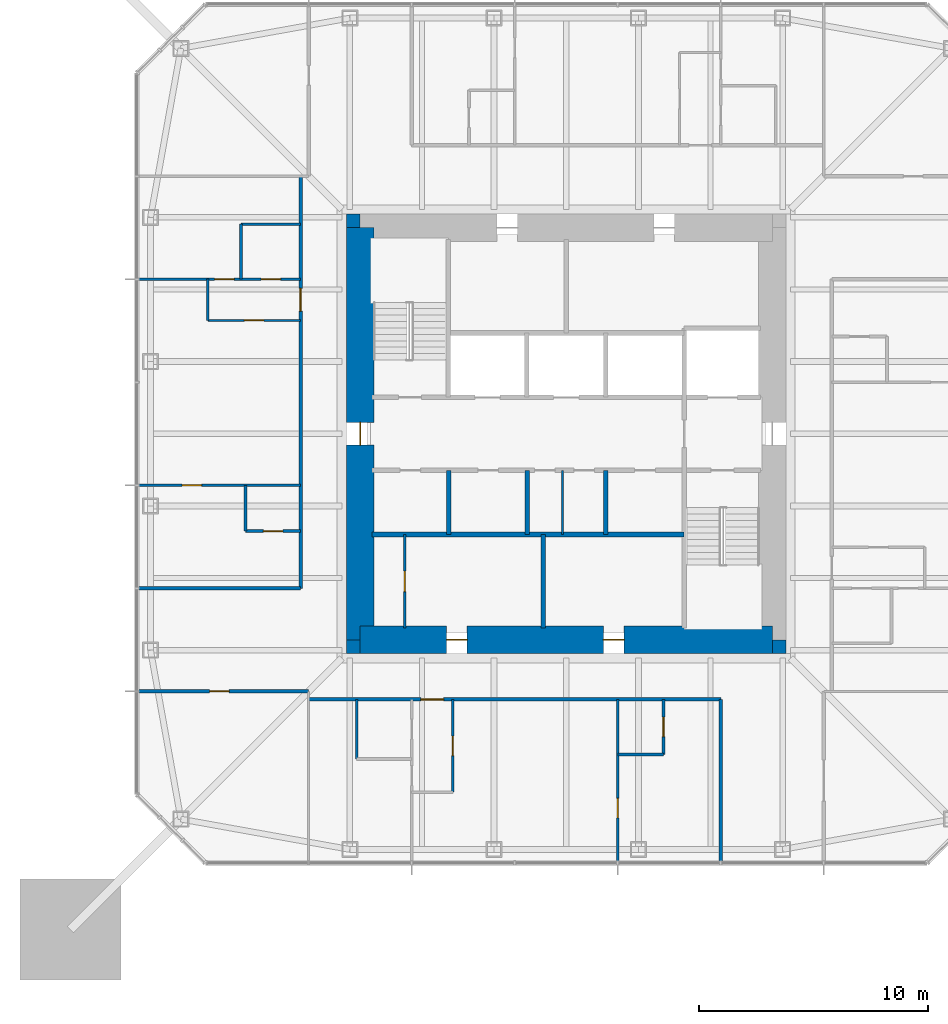
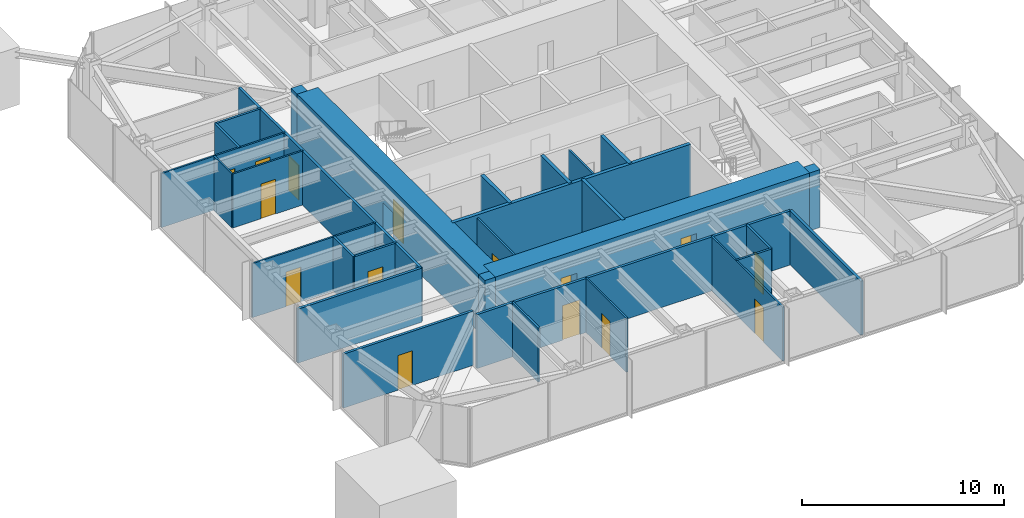
# One storey, part 6 of 11: 30 walls, 15 doors, 15 openings.
"""IFC4 building model written with IfcOpenShell, lengths in metres."""

from ifc_helpers import new_model, si_unit, direction, frame, frame_2d, origin, place, context, subcontext, project, spatial, rectangle, extrude, material, layer, layer_set, type_object, element, fill, save


model = new_model("IFC4")

# Units and contexts
model_context = context("Model", 3, precision=1e-05, world=origin(), true_north=direction((0.0, 1.0)))
body_context = subcontext(model_context, "Body", "Model", "MODEL_VIEW")
ifc_project = project(units=[si_unit("LENGTHUNIT", "METRE"), si_unit("AREAUNIT", "SQUARE_METRE"), si_unit("VOLUMEUNIT", "CUBIC_METRE"), si_unit("PLANEANGLEUNIT", "RADIAN"), si_unit("MASSUNIT", "GRAM", prefix="KILO")], contexts=[model_context])

# Site, building, storey
site_placement = place(None, origin())
site = spatial("IfcSite", under=ifc_project, at=site_placement, CompositionType="ELEMENT")
building_placement = place(site_placement, origin())
building = spatial("IfcBuilding", under=site, at=building_placement, Name="Iwan Alto Co-Living Towers", CompositionType="ELEMENT")
storey_placement = place(building_placement, frame((0.0, 0.0, 174.0)))
storey = spatial("IfcBuildingStorey", under=building, at=storey_placement, Name="L47", CompositionType="ELEMENT", Elevation=174.0)

# Wall, opening, door
ifc_material_1 = material(Name="Gypsum board")
ifc_layer_1 = layer(ifc_material_1, 0.02490234375, Name="Board", Category="Finish")
ifc_material_2 = material(Name="Steel ASTM A1003 ST33H cold-formed studs", Category="steel")
ifc_layer_2 = layer(ifc_material_2, 0.10009765625, Name="Studs", Category="Framing")
ifc_layer_3 = layer(ifc_material_1, 0.02490234375, Name="Board", Category="Finish")
ifc_layer_set_1 = layer_set([ifc_layer_1, ifc_layer_2, ifc_layer_3], Name="CORRIDOR WALL 150")
wall_type_1 = type_object("IfcWallType", Name="CORRIDOR WALL 150", PredefinedType="PARTITIONING", material=ifc_layer_set_1)
wall_1_placement = place(storey_placement, frame((-11.25, -11.60009765625, 0.0), z_axis=(0.0, 0.0, 1.0), x_axis=(1.0, 0.0, 0.0)))
wall_1 = element("IfcWall", 1, at=wall_1_placement, inside=storey, type_object=wall_type_1, Name="Partition L47", PredefinedType="PARTITIONING", context=body_context, shape_type="SweptSolid", body=[
    extrude(rectangle(XDim=18.0, YDim=0.14990234375, at=frame_2d((9.0, 0.0))), origin(), (0.0, 0.0, 1.0), 3.27001953125),
])
opening_1_placement = place(wall_1_placement, frame((4.89990234375, 0.0, 0.0)))
opening_1 = element("IfcOpeningElement", 2, at=opening_1_placement, cuts=wall_1, Name="Opening D3", PredefinedType="OPENING", context=body_context, shape_type="SweptSolid", body=[
    extrude(rectangle(XDim=1.0, YDim=2.10009765625, at=frame_2d((0.5, 1.050048828125))), frame((0.0, 0.0849609375, 0.0), z_axis=(0.0, -1.0, 0.0), x_axis=(1.0, 0.0, 0.0)), (0.0, 0.0, 1.0), 0.169921875),
])
ifc_material_3 = material(Name="Steel frame with timber leaf", Category="steel")
door_type_1 = type_object("IfcDoorType", Name="FLAT ENTRANCE DOOR FD30S 1000X2100", OperationType="SINGLE_SWING_LEFT", PredefinedType="DOOR", material=ifc_material_3)
door_1_placement = place(opening_1_placement, frame((1.0, 0.0, 0.0), z_axis=(0.0, 0.0, 1.0), x_axis=(-1.0, 0.0, 0.0)))
door_1 = element("IfcDoor", 3, at=door_1_placement, inside=storey, type_object=door_type_1, Name="Apartment foyer door L47", OperationType="SINGLE_SWING_RIGHT", OverallHeight=2.10009765625, OverallWidth=1.0, PredefinedType="DOOR", context=body_context, shape_type="SweptSolid", body=[
    extrude(rectangle(XDim=1.0, YDim=2.10009765625, at=frame_2d((0.5, 1.050048828125))), frame((0.0, 0.02490234375, 0.0), z_axis=(0.0, -1.0, 0.0), x_axis=(1.0, 0.0, 0.0)), (0.0, 0.0, 1.0), 0.050048828125),
])
fill(opening_1, door_1)

wall_2_placement = place(storey_placement, frame((-18.68994140625, -11.25, 0.0), z_axis=(0.0, 0.0, 1.0), x_axis=(1.0, 0.0, 0.0)))
wall_2 = element("IfcWall", 4, at=wall_2_placement, inside=storey, type_object=wall_type_1, Name="Partition L47", PredefinedType="PARTITIONING", context=body_context, shape_type="SweptSolid", body=[
    extrude(rectangle(XDim=7.43994140625, YDim=0.14990234375, at=frame_2d((3.719970703125, 0.0))), origin(), (0.0, 0.0, 1.0), 3.27001953125),
])
opening_2_placement = place(wall_2_placement, frame((3.1201171875, 0.0, 0.0)))
opening_2 = element("IfcOpeningElement", 5, at=opening_2_placement, cuts=wall_2, Name="Opening D2", PredefinedType="OPENING", context=body_context, shape_type="SweptSolid", body=[
    extrude(rectangle(XDim=0.85009765625, YDim=2.10009765625, at=frame_2d((0.425048828125, 1.050048828125))), frame((0.0, 0.0849609375, 0.0), z_axis=(0.0, -1.0, 0.0), x_axis=(1.0, 0.0, 0.0)), (0.0, 0.0, 1.0), 0.169921875),
])
ifc_material_4 = material(Name="Timber leaf in steel frame", Category="steel")
door_type_2 = type_object("IfcDoorType", Name="ROOM DOOR 850X2100", OperationType="SINGLE_SWING_LEFT", PredefinedType="DOOR", material=ifc_material_4)
door_2_placement = place(opening_2_placement, frame((0.85009765625, 0.0, 0.0), z_axis=(0.0, 0.0, 1.0), x_axis=(-1.0, 0.0, 0.0)))
door_2 = element("IfcDoor", 6, at=door_2_placement, inside=storey, type_object=door_type_2, Name="Shared kitchen and lounge door L47", OperationType="SINGLE_SWING_RIGHT", OverallHeight=2.10009765625, OverallWidth=0.85009765625, PredefinedType="DOOR", context=body_context, shape_type="SweptSolid", body=[
    extrude(rectangle(XDim=0.85009765625, YDim=2.10009765625, at=frame_2d((0.425048828125, 1.050048828125))), frame((0.0, 0.02490234375, 0.0), z_axis=(0.0, -1.0, 0.0), x_axis=(1.0, 0.0, 0.0)), (0.0, 0.0, 1.0), 0.050048828125),
])
fill(opening_2, door_2)

# Walls
for number, where, z_axis, x_axis, name in (
    (7, (-18.68994140625, -6.75, 0.0), (0.0, 0.0, 1.0), (1.0, 0.0, 0.0), "Partition L47"),
    (8, (6.75, -18.68994140625, 0.0), (0.0, 0.0, 1.0), (0.0, 1.0, 0.0), "Partition L47"),
):
    element("IfcWall", number, at=place(storey_placement, frame(where, z_axis=z_axis, x_axis=x_axis)), inside=storey, type_object=wall_type_1, Name=name, PredefinedType="PARTITIONING", context=body_context, shape_type="SweptSolid", body=[
        extrude(rectangle(XDim=7.08984375, YDim=0.14990234375, at=frame_2d((3.544921875, 0.0))), origin(), (0.0, 0.0, 1.0), 3.27001953125),
    ])

# Wall, opening, door
wall_3_placement = place(storey_placement, frame((-11.60009765625, -6.75, 0.0), z_axis=(0.0, 0.0, 1.0), x_axis=(0.0, 1.0, 0.0)))
wall_3 = element("IfcWall", 9, at=wall_3_placement, inside=storey, type_object=wall_type_1, Name="Partition L47", PredefinedType="PARTITIONING", context=body_context, shape_type="SweptSolid", body=[
    extrude(rectangle(XDim=18.0, YDim=0.14990234375, at=frame_2d((9.0, 0.0))), origin(), (0.0, 0.0, 1.0), 3.27001953125),
])
opening_3_placement = place(wall_3_placement, frame((12.10009765625, 0.0, 0.0)))
opening_3 = element("IfcOpeningElement", 10, at=opening_3_placement, cuts=wall_3, Name="Opening D3", PredefinedType="OPENING", context=body_context, shape_type="SweptSolid", body=[
    extrude(rectangle(XDim=1.0, YDim=2.10009765625, at=frame_2d((0.5, 1.050048828125))), frame((0.0, 0.0849609375, 0.0), z_axis=(0.0, -1.0, 0.0), x_axis=(1.0, 0.0, 0.0)), (0.0, 0.0, 1.0), 0.169921875),
])
door_3_placement = place(opening_3_placement, origin())
door_3 = element("IfcDoor", 11, at=door_3_placement, inside=storey, type_object=door_type_1, Name="Apartment foyer door L47", OperationType="SINGLE_SWING_LEFT", OverallHeight=2.10009765625, OverallWidth=1.0, PredefinedType="DOOR", context=body_context, shape_type="SweptSolid", body=[
    extrude(rectangle(XDim=1.0, YDim=2.10009765625, at=frame_2d((0.5, 1.050048828125))), frame((0.0, 0.02490234375, 0.0), z_axis=(0.0, -1.0, 0.0), x_axis=(1.0, 0.0, 0.0)), (0.0, 0.0, 1.0), 0.050048828125),
])
fill(opening_3, door_3)

ifc_layer_4 = layer(ifc_material_1, 0.012451171875, Name="Board", Category="Finish")
ifc_layer_5 = layer(ifc_material_2, 0.074951171875, Name="Studs", Category="Framing")
ifc_layer_6 = layer(ifc_material_1, 0.012451171875, Name="Board", Category="Finish")
ifc_layer_set_2 = layer_set([ifc_layer_4, ifc_layer_5, ifc_layer_6], Name="PARTITION 100")
wall_type_2 = type_object("IfcWallType", Name="PARTITION 100", PredefinedType="PARTITIONING", material=ifc_layer_set_2)
wall_4_placement = place(storey_placement, frame((-18.68994140625, -2.25, 0.0), z_axis=(0.0, 0.0, 1.0), x_axis=(1.0, 0.0, 0.0)))
wall_4 = element("IfcWall", 12, at=wall_4_placement, inside=storey, type_object=wall_type_2, Name="Partition L47", PredefinedType="PARTITIONING", context=body_context, shape_type="SweptSolid", body=[
    extrude(rectangle(XDim=7.08984375, YDim=0.10009765625, at=frame_2d((3.544921875, 0.0))), origin(), (0.0, 0.0, 1.0), 3.27001953125),
])
opening_4_placement = place(wall_4_placement, frame((1.919921875, 0.0, 0.0)))
opening_4 = element("IfcOpeningElement", 13, at=opening_4_placement, cuts=wall_4, Name="Opening D2", PredefinedType="OPENING", context=body_context, shape_type="SweptSolid", body=[
    extrude(rectangle(XDim=0.85009765625, YDim=2.10009765625, at=frame_2d((0.425048828125, 1.050048828125))), frame((0.0, 0.06005859375, 0.0), z_axis=(0.0, -1.0, 0.0), x_axis=(1.0, 0.0, 0.0)), (0.0, 0.0, 1.0), 0.1201171875),
])
door_4_placement = place(opening_4_placement, origin())
door_4 = element("IfcDoor", 14, at=door_4_placement, inside=storey, type_object=door_type_2, Name="Bedroom door L47", OperationType="SINGLE_SWING_LEFT", OverallHeight=2.10009765625, OverallWidth=0.85009765625, PredefinedType="DOOR", context=body_context, shape_type="SweptSolid", body=[
    extrude(rectangle(XDim=0.85009765625, YDim=2.10009765625, at=frame_2d((0.425048828125, 1.050048828125))), frame((0.0, 0.02490234375, 0.0), z_axis=(0.0, -1.0, 0.0), x_axis=(1.0, 0.0, 0.0)), (0.0, 0.0, 1.0), 0.050048828125),
])
fill(opening_4, door_4)

wall_5_placement = place(storey_placement, frame((-15.64990234375, 4.949951171875, 0.0), z_axis=(0.0, 0.0, 1.0), x_axis=(1.0, 0.0, 0.0)))
wall_5 = element("IfcWall", 15, at=wall_5_placement, inside=storey, type_object=wall_type_2, Name="Partition L47", PredefinedType="PARTITIONING", context=body_context, shape_type="SweptSolid", body=[
    extrude(rectangle(XDim=4.0498046875, YDim=0.10009765625, at=frame_2d((2.02490234375, 0.0))), origin(), (0.0, 0.0, 1.0), 3.27001953125),
])
opening_5_placement = place(wall_5_placement, frame((1.60009765625, 0.0, 0.0)))
opening_5 = element("IfcOpeningElement", 16, at=opening_5_placement, cuts=wall_5, Name="Opening D2", PredefinedType="OPENING", context=body_context, shape_type="SweptSolid", body=[
    extrude(rectangle(XDim=0.85009765625, YDim=2.10009765625, at=frame_2d((0.425048828125, 1.050048828125))), frame((0.0, 0.06005859375, 0.0), z_axis=(0.0, -1.0, 0.0), x_axis=(1.0, 0.0, 0.0)), (0.0, 0.0, 1.0), 0.1201171875),
])
door_5_placement = place(opening_5_placement, frame((0.85009765625, 0.0, 0.0), z_axis=(0.0, 0.0, 1.0), x_axis=(-1.0, 0.0, 0.0)))
door_5 = element("IfcDoor", 17, at=door_5_placement, inside=storey, type_object=door_type_2, Name="Apartment foyer door L47", OperationType="SINGLE_SWING_LEFT", OverallHeight=2.10009765625, OverallWidth=0.85009765625, PredefinedType="DOOR", context=body_context, shape_type="SweptSolid", body=[
    extrude(rectangle(XDim=0.85009765625, YDim=2.10009765625, at=frame_2d((0.425048828125, 1.050048828125))), frame((0.0, 0.02490234375, 0.0), z_axis=(0.0, -1.0, 0.0), x_axis=(1.0, 0.0, 0.0)), (0.0, 0.0, 1.0), 0.050048828125),
])
fill(opening_5, door_5)

# Wall, openings, doors
wall_6_placement = place(storey_placement, frame((-18.68994140625, 6.75, 0.0), z_axis=(0.0, 0.0, 1.0), x_axis=(1.0, 0.0, 0.0)))
wall_6 = element("IfcWall", 18, at=wall_6_placement, inside=storey, type_object=wall_type_2, Name="Partition L47", PredefinedType="PARTITIONING", context=body_context, shape_type="SweptSolid", body=[
    extrude(rectangle(XDim=7.08984375, YDim=0.10009765625, at=frame_2d((3.544921875, 0.0))), origin(), (0.0, 0.0, 1.0), 3.27001953125),
])
opening_6_placement = place(wall_6_placement, frame((3.340087890625, 0.0, 0.0)))
opening_6 = element("IfcOpeningElement", 19, at=opening_6_placement, cuts=wall_6, Name="Opening D2", PredefinedType="OPENING", context=body_context, shape_type="SweptSolid", body=[
    extrude(rectangle(XDim=0.85009765625, YDim=2.10009765625, at=frame_2d((0.425048828125, 1.050048828125))), frame((0.0, 0.06005859375, 0.0), z_axis=(0.0, -1.0, 0.0), x_axis=(1.0, 0.0, 0.0)), (0.0, 0.0, 1.0), 0.1201171875),
])
opening_7_placement = place(wall_6_placement, frame((5.364990234375, 0.0, 0.0)))
opening_7 = element("IfcOpeningElement", 20, at=opening_7_placement, cuts=wall_6, Name="Opening D2", PredefinedType="OPENING", context=body_context, shape_type="SweptSolid", body=[
    extrude(rectangle(XDim=0.85009765625, YDim=2.10009765625, at=frame_2d((0.425048828125, 1.050048828125))), frame((0.0, 0.06005859375, 0.0), z_axis=(0.0, -1.0, 0.0), x_axis=(1.0, 0.0, 0.0)), (0.0, 0.0, 1.0), 0.1201171875),
])
door_6_placement = place(opening_6_placement, origin())
door_6 = element("IfcDoor", 21, at=door_6_placement, inside=storey, type_object=door_type_2, Name="Bedroom door L47", OperationType="SINGLE_SWING_RIGHT", OverallHeight=2.10009765625, OverallWidth=0.85009765625, PredefinedType="DOOR", context=body_context, shape_type="SweptSolid", body=[
    extrude(rectangle(XDim=0.85009765625, YDim=2.10009765625, at=frame_2d((0.425048828125, 1.050048828125))), frame((0.0, 0.02490234375, 0.0), z_axis=(0.0, -1.0, 0.0), x_axis=(1.0, 0.0, 0.0)), (0.0, 0.0, 1.0), 0.050048828125),
])
fill(opening_6, door_6)
door_7_placement = place(opening_7_placement, origin())
door_7 = element("IfcDoor", 22, at=door_7_placement, inside=storey, type_object=door_type_2, Name="Bathroom door L47", OperationType="SINGLE_SWING_LEFT", OverallHeight=2.10009765625, OverallWidth=0.85009765625, PredefinedType="DOOR", context=body_context, shape_type="SweptSolid", body=[
    extrude(rectangle(XDim=0.85009765625, YDim=2.10009765625, at=frame_2d((0.425048828125, 1.050048828125))), frame((0.0, 0.02490234375, 0.0), z_axis=(0.0, -1.0, 0.0), x_axis=(1.0, 0.0, 0.0)), (0.0, 0.0, 1.0), 0.050048828125),
])
fill(opening_7, door_7)

# Wall, opening, door
wall_7_placement = place(storey_placement, frame((2.25, -18.68994140625, 0.0), z_axis=(0.0, 0.0, 1.0), x_axis=(0.0, 1.0, 0.0)))
wall_7 = element("IfcWall", 23, at=wall_7_placement, inside=storey, type_object=wall_type_2, Name="Partition L47", PredefinedType="PARTITIONING", context=body_context, shape_type="SweptSolid", body=[
    extrude(rectangle(XDim=7.08984375, YDim=0.10009765625, at=frame_2d((3.544921875, 0.0))), origin(), (0.0, 0.0, 1.0), 3.27001953125),
])
opening_8_placement = place(wall_7_placement, frame((1.919921875, 0.0, 0.0)))
opening_8 = element("IfcOpeningElement", 24, at=opening_8_placement, cuts=wall_7, Name="Opening D2", PredefinedType="OPENING", context=body_context, shape_type="SweptSolid", body=[
    extrude(rectangle(XDim=0.85009765625, YDim=2.10009765625, at=frame_2d((0.425048828125, 1.050048828125))), frame((0.0, 0.06005859375, 0.0), z_axis=(0.0, -1.0, 0.0), x_axis=(1.0, 0.0, 0.0)), (0.0, 0.0, 1.0), 0.1201171875),
])
door_8_placement = place(opening_8_placement, origin())
door_8 = element("IfcDoor", 25, at=door_8_placement, inside=storey, type_object=door_type_2, Name="Bedroom door L47", OperationType="SINGLE_SWING_LEFT", OverallHeight=2.10009765625, OverallWidth=0.85009765625, PredefinedType="DOOR", context=body_context, shape_type="SweptSolid", body=[
    extrude(rectangle(XDim=0.85009765625, YDim=2.10009765625, at=frame_2d((0.425048828125, 1.050048828125))), frame((0.0, 0.02490234375, 0.0), z_axis=(0.0, -1.0, 0.0), x_axis=(1.0, 0.0, 0.0)), (0.0, 0.0, 1.0), 0.050048828125),
])
fill(opening_8, door_8)

# Wall
wall_8_placement = place(storey_placement, frame((-0.158935546875, -4.39990234375, 0.0), z_axis=(0.0, 0.0, 1.0), x_axis=(0.0, 1.0, 0.0)))
element("IfcWall", 26, at=wall_8_placement, inside=storey, type_object=wall_type_2, Name="Partition L47", PredefinedType="PARTITIONING", context=body_context, shape_type="SweptSolid", body=[
    extrude(rectangle(XDim=2.7998046875, YDim=0.10009765625, at=frame_2d((1.39990234375, 0.0))), origin(), (0.0, 0.0, 1.0), 3.300048828125),
])

# Wall, opening, door
wall_9_placement = place(storey_placement, frame((-4.949951171875, -15.64990234375, 0.0), z_axis=(0.0, 0.0, 1.0), x_axis=(0.0, 1.0, 0.0)))
wall_9 = element("IfcWall", 27, at=wall_9_placement, inside=storey, type_object=wall_type_2, Name="Partition L47", PredefinedType="PARTITIONING", context=body_context, shape_type="SweptSolid", body=[
    extrude(rectangle(XDim=4.0498046875, YDim=0.10009765625, at=frame_2d((2.02490234375, 0.0))), origin(), (0.0, 0.0, 1.0), 3.27001953125),
])
opening_9_placement = place(wall_9_placement, frame((1.60009765625, 0.0, 0.0)))
opening_9 = element("IfcOpeningElement", 28, at=opening_9_placement, cuts=wall_9, Name="Opening D2", PredefinedType="OPENING", context=body_context, shape_type="SweptSolid", body=[
    extrude(rectangle(XDim=0.85009765625, YDim=2.10009765625, at=frame_2d((0.425048828125, 1.050048828125))), frame((0.0, 0.06005859375, 0.0), z_axis=(0.0, -1.0, 0.0), x_axis=(1.0, 0.0, 0.0)), (0.0, 0.0, 1.0), 0.1201171875),
])
door_9_placement = place(opening_9_placement, frame((0.85009765625, 0.0, 0.0), z_axis=(0.0, 0.0, 1.0), x_axis=(-1.0, 0.0, 0.0)))
door_9 = element("IfcDoor", 29, at=door_9_placement, inside=storey, type_object=door_type_2, Name="Apartment foyer door L47", OperationType="SINGLE_SWING_LEFT", OverallHeight=2.10009765625, OverallWidth=0.85009765625, PredefinedType="DOOR", context=body_context, shape_type="SweptSolid", body=[
    extrude(rectangle(XDim=0.85009765625, YDim=2.10009765625, at=frame_2d((0.425048828125, 1.050048828125))), frame((0.0, 0.02490234375, 0.0), z_axis=(0.0, -1.0, 0.0), x_axis=(1.0, 0.0, 0.0)), (0.0, 0.0, 1.0), 0.050048828125),
])
fill(opening_9, door_9)

wall_10_placement = place(storey_placement, frame((-7.050048828125, -8.489990234375, 0.0), z_axis=(0.0, 0.0, 1.0), x_axis=(0.0, 1.0, 0.0)))
wall_10 = element("IfcWall", 30, at=wall_10_placement, inside=storey, type_object=wall_type_2, Name="Partition L47", PredefinedType="PARTITIONING", context=body_context, shape_type="SweptSolid", body=[
    extrude(rectangle(XDim=4.090087890625, YDim=0.10009765625, at=frame_2d((2.044921875, 0.0))), origin(), (0.0, 0.0, 1.0), 3.300048828125),
])
opening_10_placement = place(wall_10_placement, frame((1.594970703125, 0.0, 0.0)))
opening_10 = element("IfcOpeningElement", 31, at=opening_10_placement, cuts=wall_10, Name="Opening D16", PredefinedType="OPENING", context=body_context, shape_type="SweptSolid", body=[
    extrude(rectangle(XDim=0.89990234375, YDim=2.10009765625, at=frame_2d((0.449951171875, 1.050048828125))), frame((0.0, 0.06005859375, 0.0), z_axis=(0.0, -1.0, 0.0), x_axis=(1.0, 0.0, 0.0)), (0.0, 0.0, 1.0), 0.1201171875),
])
ifc_material_5 = material(Name="Timber leaf in steel frame", Category="steel")
door_type_3 = type_object("IfcDoorType", Name="CUPBOARD SLIDING DOOR 900X2100", OperationType="SLIDING_TO_LEFT", PredefinedType="DOOR", material=ifc_material_5)
door_10_placement = place(opening_10_placement, origin())
door_10 = element("IfcDoor", 32, at=door_10_placement, inside=storey, type_object=door_type_3, Name="Bulky waste store door L47", OperationType="SLIDING_TO_LEFT", OverallHeight=2.10009765625, OverallWidth=0.89990234375, PredefinedType="DOOR", context=body_context, shape_type="SweptSolid", body=[
    extrude(rectangle(XDim=0.89990234375, YDim=2.10009765625, at=frame_2d((0.449951171875, 1.050048828125))), frame((0.0, 0.02490234375, 0.0), z_axis=(0.0, -1.0, 0.0), x_axis=(1.0, 0.0, 0.0)), (0.0, 0.0, 1.0), 0.050048828125),
])
fill(opening_10, door_10)

# Walls
wall_11_placement = place(storey_placement, frame((-15.64990234375, 4.949951171875, 0.0), z_axis=(0.0, 0.0, 1.0), x_axis=(0.0, 1.0, 0.0)))
element("IfcWall", 33, at=wall_11_placement, inside=storey, type_object=wall_type_2, Name="Partition L47", PredefinedType="PARTITIONING", context=body_context, shape_type="SweptSolid", body=[
    extrude(rectangle(XDim=1.800048828125, YDim=0.10009765625, at=frame_2d((0.89990234375, 0.0))), origin(), (0.0, 0.0, 1.0), 3.27001953125),
])
ifc_material_6 = material(Name="Concrete f'c 70 MPa", Category="concrete")
ifc_layer_7 = layer(ifc_material_6, 0.199951171875)
ifc_layer_set_3 = layer_set([ifc_layer_7], Name="SHAFT WALL 200")
wall_type_3 = type_object("IfcWallType", Name="SHAFT WALL 200", PredefinedType="SOLIDWALL", material=ifc_layer_set_3)
wall_12_placement = place(storey_placement, frame((-8.489990234375, -4.39990234375, 0.0), z_axis=(0.0, 0.0, 1.0), x_axis=(1.0, 0.0, 0.0)))
element("IfcWall", 34, at=wall_12_placement, inside=storey, type_object=wall_type_3, Name="Shaft wall L47", PredefinedType="SOLIDWALL", context=body_context, shape_type="SweptSolid", body=[
    extrude(rectangle(XDim=13.639892578125, YDim=0.199951171875, at=frame_2d((6.81982421875, 0.0))), origin(), (0.0, 0.0, 1.0), 3.5),
])
wall_13_placement = place(storey_placement, frame((1.72509765625, -4.39990234375, 0.0), z_axis=(0.0, 0.0, 1.0), x_axis=(0.0, 1.0, 0.0)))
element("IfcWall", 35, at=wall_13_placement, inside=storey, type_object=wall_type_3, Name="Shaft wall L47", PredefinedType="SOLIDWALL", context=body_context, shape_type="SweptSolid", body=[
    extrude(rectangle(XDim=2.7998046875, YDim=0.199951171875, at=frame_2d((1.39990234375, 0.0))), origin(), (0.0, 0.0, 1.0), 3.5),
])
wall_14_placement = place(storey_placement, frame((-1.0, -8.489990234375, 0.0), z_axis=(0.0, 0.0, 1.0), x_axis=(0.0, 1.0, 0.0)))
element("IfcWall", 36, at=wall_14_placement, inside=storey, type_object=wall_type_3, Name="Shaft wall L47", PredefinedType="SOLIDWALL", context=body_context, shape_type="SweptSolid", body=[
    extrude(rectangle(XDim=4.090087890625, YDim=0.199951171875, at=frame_2d((2.044921875, 0.0))), origin(), (0.0, 0.0, 1.0), 3.5),
])
for number, where, z_axis, x_axis, name in (
    (37, (-1.699951171875, -4.39990234375, 0.0), (0.0, 0.0, 1.0), (0.0, 1.0, 0.0), "Shaft wall L47"),
    (38, (-5.125, -4.39990234375, 0.0), (0.0, 0.0, 1.0), (0.0, 1.0, 0.0), "Shaft wall L47"),
):
    element("IfcWall", number, at=place(storey_placement, frame(where, z_axis=z_axis, x_axis=x_axis)), inside=storey, type_object=wall_type_3, Name=name, PredefinedType="SOLIDWALL", context=body_context, shape_type="SweptSolid", body=[
        extrude(rectangle(XDim=2.7998046875, YDim=0.199951171875, at=frame_2d((1.39990234375, 0.0))), origin(), (0.0, 0.0, 1.0), 3.5),
    ])
ifc_material_7 = material(Name="Concrete f'c 70 MPa", Category="concrete")
ifc_layer_8 = layer(ifc_material_7, 0.60009765625)
ifc_layer_set_4 = layer_set([ifc_layer_8], Name="T1 CORE CORNER FILL 600")
wall_type_4 = type_object("IfcWallType", Name="T1 CORE CORNER FILL 600", PredefinedType="SOLIDWALL", material=ifc_layer_set_4)
for number, where, z_axis, x_axis, name in (
    (39, (-9.60009765625, -9.300048828125, 0.0), (0.0, 0.0, 1.0), (1.0, 0.0, 0.0), "T1 core corner SW L47"),
    (40, (9.0, -9.300048828125, 0.0), (0.0, 0.0, 1.0), (1.0, 0.0, 0.0), "T1 core corner SE L47"),
    (41, (-9.60009765625, 9.300048828125, 0.0), (0.0, 0.0, 1.0), (1.0, 0.0, 0.0), "T1 core corner NW L47"),
):
    element("IfcWall", number, at=place(storey_placement, frame(where, z_axis=z_axis, x_axis=x_axis)), inside=storey, type_object=wall_type_4, Name=name, PredefinedType="SOLIDWALL", context=body_context, shape_type="SweptSolid", body=[
        extrude(rectangle(XDim=0.60009765625, YDim=0.60009765625, at=frame_2d((0.300048828125, 0.0))), origin(), (0.0, 0.0, 1.0), 3.5),
    ])

# Wall, openings, doors
ifc_material_8 = material(Name="Concrete f'c 70 MPa", Category="concrete")
ifc_layer_9 = layer(ifc_material_8, 1.199951171875)
ifc_layer_set_5 = layer_set([ifc_layer_9], Name="T1 CORE WALL 1200")
wall_type_5 = type_object("IfcWallType", Name="T1 CORE WALL 1200", PredefinedType="SHEAR", material=ifc_layer_set_5)
wall_15_placement = place(storey_placement, frame((-9.0, -9.0, 0.0), z_axis=(0.0, 0.0, 1.0), x_axis=(1.0, 0.0, 0.0)))
wall_15 = element("IfcWall", 42, at=wall_15_placement, inside=storey, type_object=wall_type_5, Name="T1 core wall S L47", PredefinedType="SHEAR", context=body_context, shape_type="SweptSolid", body=[
    extrude(rectangle(XDim=18.0, YDim=1.199951171875, at=frame_2d((9.0, 0.0))), origin(), (0.0, 0.0, 1.0), 3.5),
])
opening_11_placement = place(wall_15_placement, frame((3.77490234375, 0.0, 0.0)))
opening_11 = element("IfcOpeningElement", 43, at=opening_11_placement, cuts=wall_15, Name="Opening D8", PredefinedType="OPENING", context=body_context, shape_type="SweptSolid", body=[
    extrude(rectangle(XDim=0.89990234375, YDim=2.10009765625, at=frame_2d((0.449951171875, 1.050048828125))), frame((0.0, 0.60986328125, 0.0), z_axis=(0.0, -1.0, 0.0), x_axis=(1.0, 0.0, 0.0)), (0.0, 0.0, 1.0), 1.219970703125),
])
opening_12_placement = place(wall_15_placement, frame((10.625, 0.0, 0.0)))
opening_12 = element("IfcOpeningElement", 44, at=opening_12_placement, cuts=wall_15, Name="Opening D8", PredefinedType="OPENING", context=body_context, shape_type="SweptSolid", body=[
    extrude(rectangle(XDim=0.89990234375, YDim=2.10009765625, at=frame_2d((0.449951171875, 1.050048828125))), frame((0.0, 0.60986328125, 0.0), z_axis=(0.0, -1.0, 0.0), x_axis=(1.0, 0.0, 0.0)), (0.0, 0.0, 1.0), 1.219970703125),
])
ifc_material_9 = material(Name="Steel frame with timber leaf", Category="steel")
door_type_4 = type_object("IfcDoorType", Name="RISER DOOR FD120 900X2100", OperationType="SINGLE_SWING_LEFT", PredefinedType="DOOR", material=ifc_material_9)
door_11_placement = place(opening_11_placement, origin())
door_11 = element("IfcDoor", 45, at=door_11_placement, inside=storey, type_object=door_type_4, Name="Refuse room core door L47", OperationType="SINGLE_SWING_LEFT", OverallHeight=2.10009765625, OverallWidth=0.89990234375, PredefinedType="DOOR", context=body_context, shape_type="SweptSolid", body=[
    extrude(rectangle(XDim=0.89990234375, YDim=2.10009765625, at=frame_2d((0.449951171875, 1.050048828125))), frame((0.0, 0.02490234375, 0.0), z_axis=(0.0, -1.0, 0.0), x_axis=(1.0, 0.0, 0.0)), (0.0, 0.0, 1.0), 0.050048828125),
])
fill(opening_11, door_11)
door_12_placement = place(opening_12_placement, origin())
door_12 = element("IfcDoor", 46, at=door_12_placement, inside=storey, type_object=door_type_4, Name="Telecom riser core door L47", OperationType="SINGLE_SWING_LEFT", OverallHeight=2.10009765625, OverallWidth=0.89990234375, PredefinedType="DOOR", context=body_context, shape_type="SweptSolid", body=[
    extrude(rectangle(XDim=0.89990234375, YDim=2.10009765625, at=frame_2d((0.449951171875, 1.050048828125))), frame((0.0, 0.02490234375, 0.0), z_axis=(0.0, -1.0, 0.0), x_axis=(1.0, 0.0, 0.0)), (0.0, 0.0, 1.0), 0.050048828125),
])
fill(opening_12, door_12)

# Wall, opening, door
wall_16_placement = place(storey_placement, frame((-9.0, 9.0, 0.0), z_axis=(0.0, 0.0, 1.0), x_axis=(0.0, -1.0, 0.0)))
wall_16 = element("IfcWall", 47, at=wall_16_placement, inside=storey, type_object=wall_type_5, Name="T1 core wall W L47", PredefinedType="SHEAR", context=body_context, shape_type="SweptSolid", body=[
    extrude(rectangle(XDim=18.0, YDim=1.199951171875, at=frame_2d((9.0, 0.0))), origin(), (0.0, 0.0, 1.0), 3.5),
])
opening_13_placement = place(wall_16_placement, frame((8.5, 0.0, 0.0)))
opening_13 = element("IfcOpeningElement", 48, at=opening_13_placement, cuts=wall_16, Name="Opening D7", PredefinedType="OPENING", context=body_context, shape_type="SweptSolid", body=[
    extrude(rectangle(XDim=1.0, YDim=2.10009765625, at=frame_2d((0.5, 1.050048828125))), frame((0.0, 0.60986328125, 0.0), z_axis=(0.0, -1.0, 0.0), x_axis=(1.0, 0.0, 0.0)), (0.0, 0.0, 1.0), 1.219970703125),
])
ifc_material_10 = material(Name="Steel frame with timber leaf", Category="steel")
door_type_5 = type_object("IfcDoorType", Name="CORE DOOR FD120S 1000X2100", OperationType="SINGLE_SWING_LEFT", PredefinedType="DOOR", material=ifc_material_10)
door_13_placement = place(opening_13_placement, origin())
door_13 = element("IfcDoor", 49, at=door_13_placement, inside=storey, type_object=door_type_5, Name="Lift lobby core door L47", OperationType="SINGLE_SWING_RIGHT", OverallHeight=2.10009765625, OverallWidth=1.0, PredefinedType="DOOR", context=body_context, shape_type="SweptSolid", body=[
    extrude(rectangle(XDim=1.0, YDim=2.10009765625, at=frame_2d((0.5, 1.050048828125))), frame((0.0, 0.02490234375, 0.0), z_axis=(0.0, -1.0, 0.0), x_axis=(1.0, 0.0, 0.0)), (0.0, 0.0, 1.0), 0.050048828125),
])
fill(opening_13, door_13)

# Wall
ifc_material_11 = material(Name="Cement board")
ifc_layer_10 = layer(ifc_material_11, 0.012451171875, Name="Board", Category="Finish")
ifc_layer_11 = layer(ifc_material_2, 0.094970703125, Name="Studs", Category="Framing")
ifc_layer_12 = layer(ifc_material_11, 0.012451171875, Name="Board", Category="Finish")
ifc_layer_set_6 = layer_set([ifc_layer_10, ifc_layer_11, ifc_layer_12], Name="WET AREA PARTITION 120")
wall_type_6 = type_object("IfcWallType", Name="WET AREA PARTITION 120", PredefinedType="PARTITIONING", material=ifc_layer_set_6)
wall_17_placement = place(storey_placement, frame((2.25, -14.0, 0.0), z_axis=(0.0, 0.0, 1.0), x_axis=(1.0, 0.0, 0.0)))
element("IfcWall", 50, at=wall_17_placement, inside=storey, type_object=wall_type_6, Name="Partition L47", PredefinedType="PARTITIONING", context=body_context, shape_type="SweptSolid", body=[
    extrude(rectangle(XDim=2.0, YDim=0.1201171875, at=frame_2d((1.0, 0.0))), origin(), (0.0, 0.0, 1.0), 3.27001953125),
])

# Wall, opening, door
wall_18_placement = place(storey_placement, frame((-14.0, -4.25, 0.0), z_axis=(0.0, 0.0, 1.0), x_axis=(1.0, 0.0, 0.0)))
wall_18 = element("IfcWall", 51, at=wall_18_placement, inside=storey, type_object=wall_type_6, Name="Partition L47", PredefinedType="PARTITIONING", context=body_context, shape_type="SweptSolid", body=[
    extrude(rectangle(XDim=2.39990234375, YDim=0.1201171875, at=frame_2d((1.199951171875, 0.0))), origin(), (0.0, 0.0, 1.0), 3.27001953125),
])
opening_14_placement = place(wall_18_placement, frame((0.77490234375, 0.0, 0.0)))
opening_14 = element("IfcOpeningElement", 52, at=opening_14_placement, cuts=wall_18, Name="Opening D2", PredefinedType="OPENING", context=body_context, shape_type="SweptSolid", body=[
    extrude(rectangle(XDim=0.85009765625, YDim=2.10009765625, at=frame_2d((0.425048828125, 1.050048828125))), frame((0.0, 0.070068359375, 0.0), z_axis=(0.0, -1.0, 0.0), x_axis=(1.0, 0.0, 0.0)), (0.0, 0.0, 1.0), 0.14013671875),
])
door_14_placement = place(opening_14_placement, frame((0.85009765625, 0.0, 0.0), z_axis=(0.0, 0.0, 1.0), x_axis=(-1.0, 0.0, 0.0)))
door_14 = element("IfcDoor", 53, at=door_14_placement, inside=storey, type_object=door_type_2, Name="En-suite shower room door L47", OperationType="SINGLE_SWING_LEFT", OverallHeight=2.10009765625, OverallWidth=0.85009765625, PredefinedType="DOOR", context=body_context, shape_type="SweptSolid", body=[
    extrude(rectangle(XDim=0.85009765625, YDim=2.10009765625, at=frame_2d((0.425048828125, 1.050048828125))), frame((0.0, 0.02490234375, 0.0), z_axis=(0.0, -1.0, 0.0), x_axis=(1.0, 0.0, 0.0)), (0.0, 0.0, 1.0), 0.050048828125),
])
fill(opening_14, door_14)

# Wall
wall_19_placement = place(storey_placement, frame((-14.199951171875, 9.14990234375, 0.0), z_axis=(0.0, 0.0, 1.0), x_axis=(1.0, 0.0, 0.0)))
element("IfcWall", 54, at=wall_19_placement, inside=storey, type_object=wall_type_6, Name="Partition L47", PredefinedType="PARTITIONING", context=body_context, shape_type="SweptSolid", body=[
    extrude(rectangle(XDim=2.599853515625, YDim=0.1201171875, at=frame_2d((1.2998046875, 0.0))), origin(), (0.0, 0.0, 1.0), 3.27001953125),
])

# Wall, opening, door
wall_20_placement = place(storey_placement, frame((4.25, -14.0, 0.0), z_axis=(0.0, 0.0, 1.0), x_axis=(0.0, 1.0, 0.0)))
wall_20 = element("IfcWall", 55, at=wall_20_placement, inside=storey, type_object=wall_type_6, Name="Partition L47", PredefinedType="PARTITIONING", context=body_context, shape_type="SweptSolid", body=[
    extrude(rectangle(XDim=2.39990234375, YDim=0.1201171875, at=frame_2d((1.199951171875, 0.0))), origin(), (0.0, 0.0, 1.0), 3.27001953125),
])
opening_15_placement = place(wall_20_placement, frame((0.77490234375, 0.0, 0.0)))
opening_15 = element("IfcOpeningElement", 56, at=opening_15_placement, cuts=wall_20, Name="Opening D2", PredefinedType="OPENING", context=body_context, shape_type="SweptSolid", body=[
    extrude(rectangle(XDim=0.85009765625, YDim=2.10009765625, at=frame_2d((0.425048828125, 1.050048828125))), frame((0.0, 0.070068359375, 0.0), z_axis=(0.0, -1.0, 0.0), x_axis=(1.0, 0.0, 0.0)), (0.0, 0.0, 1.0), 0.14013671875),
])
door_15_placement = place(opening_15_placement, frame((0.85009765625, 0.0, 0.0), z_axis=(0.0, 0.0, 1.0), x_axis=(-1.0, 0.0, 0.0)))
door_15 = element("IfcDoor", 57, at=door_15_placement, inside=storey, type_object=door_type_2, Name="En-suite shower room door L47", OperationType="SINGLE_SWING_LEFT", OverallHeight=2.10009765625, OverallWidth=0.85009765625, PredefinedType="DOOR", context=body_context, shape_type="SweptSolid", body=[
    extrude(rectangle(XDim=0.85009765625, YDim=2.10009765625, at=frame_2d((0.425048828125, 1.050048828125))), frame((0.0, 0.02490234375, 0.0), z_axis=(0.0, -1.0, 0.0), x_axis=(1.0, 0.0, 0.0)), (0.0, 0.0, 1.0), 0.050048828125),
])
fill(opening_15, door_15)

# Walls
wall_21_placement = place(storey_placement, frame((-9.14990234375, -14.199951171875, 0.0), z_axis=(0.0, 0.0, 1.0), x_axis=(0.0, 1.0, 0.0)))
element("IfcWall", 58, at=wall_21_placement, inside=storey, type_object=wall_type_6, Name="Partition L47", PredefinedType="PARTITIONING", context=body_context, shape_type="SweptSolid", body=[
    extrude(rectangle(XDim=2.599853515625, YDim=0.1201171875, at=frame_2d((1.2998046875, 0.0))), origin(), (0.0, 0.0, 1.0), 3.27001953125),
])
wall_22_placement = place(storey_placement, frame((-14.0, -4.25, 0.0), z_axis=(0.0, 0.0, 1.0), x_axis=(0.0, 1.0, 0.0)))
element("IfcWall", 59, at=wall_22_placement, inside=storey, type_object=wall_type_6, Name="Partition L47", PredefinedType="PARTITIONING", context=body_context, shape_type="SweptSolid", body=[
    extrude(rectangle(XDim=2.0, YDim=0.1201171875, at=frame_2d((1.0, 0.0))), origin(), (0.0, 0.0, 1.0), 3.27001953125),
])
wall_23_placement = place(storey_placement, frame((-14.199951171875, 6.75, 0.0), z_axis=(0.0, 0.0, 1.0), x_axis=(0.0, 1.0, 0.0)))
element("IfcWall", 60, at=wall_23_placement, inside=storey, type_object=wall_type_6, Name="Partition L47", PredefinedType="PARTITIONING", context=body_context, shape_type="SweptSolid", body=[
    extrude(rectangle(XDim=2.39990234375, YDim=0.1201171875, at=frame_2d((1.199951171875, 0.0))), origin(), (0.0, 0.0, 1.0), 3.27001953125),
])

save(model, "model.ifc")
